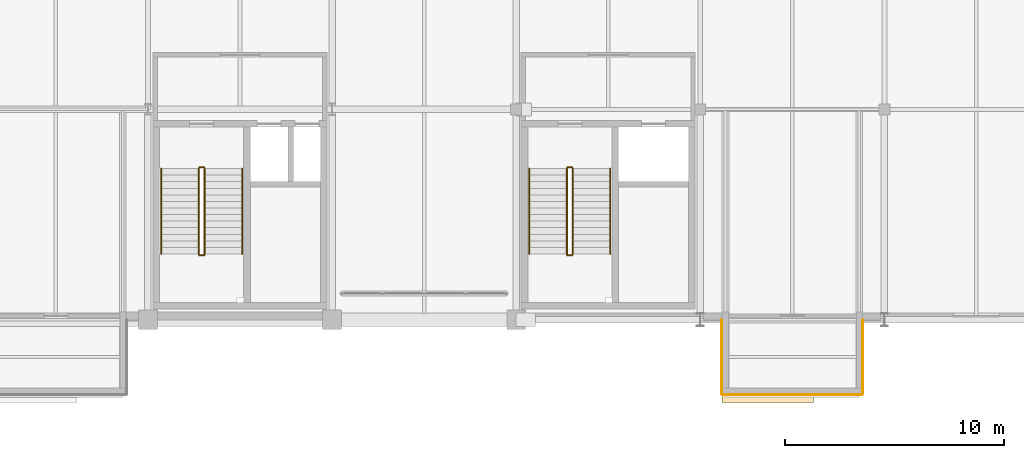
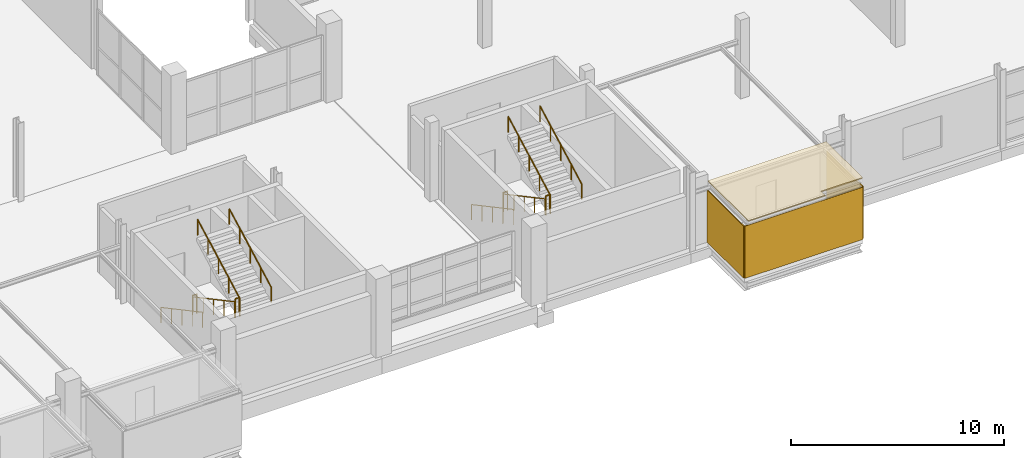
# One storey, part 104 of 109: 12 railings, 4 coverings.
"""IFC4 building model written with IfcOpenShell, lengths in metres."""

import ifcopenshell
import ifcopenshell.guid

model = None  # the IFC model being written
_history = None  # IfcOwnerHistory: only IFC2X3 demands one
_inside = {}  # id of a spatial element -> (the spatial element, [elements in it])
_under = {}  # id of a project, library or spatial element -> (it, [spatial elements below it])
_declared = {}  # id of a project -> (the project, [libraries it declares])
_typed = {}  # id of a type object -> (the type object, [elements of that type])
_made_of = {}  # id of a material, layer set ... -> (it, [elements and type objects made of it])


def new_model(schema):
    """Start an empty IFC model of exactly this schema.

    Asked for "IFC4X3", IfcOpenShell would pick the latest addendum, in which some entities
    have other attributes; the version numbers below select the first issue.
    IFC2X3 requires an IfcOwnerHistory on every rooted entity: one is made here for all.
    """
    global model, _history
    if schema == "IFC4X3":
        model = ifcopenshell.file(schema_version=(4, 3, 0, 0))
    else:
        model = ifcopenshell.file(schema=schema)
    _inside.clear()
    _under.clear()
    _declared.clear()
    _typed.clear()
    _made_of.clear()
    _history = None
    if model.schema == "IFC2X3":
        org = make("IfcOrganization", Name="unknown")
        user = make(
            "IfcPersonAndOrganization",
            ThePerson=make("IfcPerson", FamilyName="unknown"),
            TheOrganization=org,
        )
        app = make(
            "IfcApplication",
            ApplicationDeveloper=org,
            Version="unknown",
            ApplicationFullName="unknown",
            ApplicationIdentifier="unknown",
        )
        _history = make(
            "IfcOwnerHistory",
            OwningUser=user,
            OwningApplication=app,
            ChangeAction="ADDED",
            CreationDate=0,
        )
    return model


def make(cls, **values):
    """One entity of the class cls with the attributes given. An attribute that is None is left unset."""
    return model.create_entity(
        cls, **{name: value for name, value in values.items() if value is not None}
    )


def rooted(cls, **values):
    """An entity with a GlobalId (a new one), such as an element, a storey or a relation."""
    return make(cls, GlobalId=ifcopenshell.guid.new(), OwnerHistory=_history, **values)


def si_unit(unit_type, name, prefix=None):
    """IfcSIUnit, for example si_unit("LENGTHUNIT", "METRE", prefix="MILLI")."""
    return make("IfcSIUnit", UnitType=unit_type, Prefix=prefix, Name=name)


def assignment(units):
    """IfcUnitAssignment: the units of a project."""
    return None if units is None else make("IfcUnitAssignment", Units=units)


def point(xyz):
    """IfcCartesianPoint."""
    return None if xyz is None else make("IfcCartesianPoint", Coordinates=xyz)


def direction(xyz):
    """IfcDirection."""
    return None if xyz is None else make("IfcDirection", DirectionRatios=xyz)


def frame(location, z_axis=None, x_axis=None):
    """IfcAxis2Placement3D, a coordinate frame: its origin and axes. An axis left out is left unset."""
    return make(
        "IfcAxis2Placement3D",
        Location=point(location),
        Axis=direction(z_axis),
        RefDirection=direction(x_axis),
    )


def frame_2d(location, x_axis=None):
    """IfcAxis2Placement2D, a coordinate frame in the plane: its origin and x axis."""
    return make(
        "IfcAxis2Placement2D", Location=point(location), RefDirection=direction(x_axis)
    )


def origin():
    """The frame at (0, 0, 0) with its axes left unset."""
    return frame((0.0, 0.0, 0.0))


def origin_2d():
    """The frame at (0, 0) in the plane with its x axis left unset."""
    return frame_2d((0.0, 0.0))


def place(relative_to, where):
    """IfcLocalPlacement: puts the frame where relative to a parent placement (None: the world)."""
    return make(
        "IfcLocalPlacement", PlacementRelTo=relative_to, RelativePlacement=where
    )


def context(
    kind, dimensions, precision=None, world=None, true_north=None, identifier=None
):
    """IfcGeometricRepresentationContext, for example the 3D "Model" context."""
    return make(
        "IfcGeometricRepresentationContext",
        ContextIdentifier=identifier,
        ContextType=kind,
        CoordinateSpaceDimension=dimensions,
        Precision=precision,
        WorldCoordinateSystem=world,
        TrueNorth=true_north,
    )


def subcontext(parent, identifier, kind, view, scale=None):
    """IfcGeometricRepresentationSubContext, for example "Body" below "Model"."""
    return make(
        "IfcGeometricRepresentationSubContext",
        ContextIdentifier=identifier,
        ContextType=kind,
        ParentContext=parent,
        TargetScale=scale,
        TargetView=view,
    )


def project(units=None, contexts=None):
    """IfcProject with its units and contexts."""
    return rooted(
        "IfcProject",
        Name="project",
        RepresentationContexts=contexts,
        UnitsInContext=assignment(units),
    )


def spatial(cls, under=None, at=None, **own):
    """A site, building, storey or space (cls), placed at a placement, below another one or the project."""
    s = rooted(cls, ObjectPlacement=at, **own)
    if under is not None:
        _under.setdefault(under.id(), (under, []))[1].append(s)
    return s


def polyline(points):
    """IfcPolyline through the points."""
    return make("IfcPolyline", Points=[point(p) for p in points])


def profile(cls, at=None, kind="AREA", **sizes):
    """A parametric profile (cls). Its sizes go by their IFC names, for example OverallWidth=200.0."""
    return make(cls, ProfileType=kind, Position=at, **sizes)


def rectangle(**sizes):
    """IfcRectangleProfileDef."""
    return profile("IfcRectangleProfileDef", **sizes)


def circle(**sizes):
    """IfcCircleProfileDef."""
    return profile("IfcCircleProfileDef", **sizes)


def outline(outer, holes=None, kind="AREA"):
    """IfcArbitraryClosedProfileDef: a profile drawn as a closed curve; with holes, ...WithVoids."""
    if holes is None:
        return make("IfcArbitraryClosedProfileDef", ProfileType=kind, OuterCurve=outer)
    return make(
        "IfcArbitraryProfileDefWithVoids",
        ProfileType=kind,
        OuterCurve=outer,
        InnerCurves=holes,
    )


def extrude(swept, where, along, depth):
    """IfcExtrudedAreaSolid: the profile swept, set in the frame where, extruded along a direction by depth."""
    return make(
        "IfcExtrudedAreaSolid",
        SweptArea=swept,
        Position=where,
        ExtrudedDirection=direction(along),
        Depth=depth,
    )


def shape(context_of_items, identifier, shape_type, items):
    """IfcShapeRepresentation: the items that make up one representation, for example the "Body"."""
    return make(
        "IfcShapeRepresentation",
        ContextOfItems=context_of_items,
        RepresentationIdentifier=identifier,
        RepresentationType=shape_type,
        Items=items,
    )


def material(Name=None, Category=None):
    """IfcMaterial."""
    return make("IfcMaterial", Name=Name, Category=Category)


def layer(
    of_material, thickness, ventilated=None, Name=None, Category=None, Priority=None
):
    """IfcMaterialLayer: one layer of a wall or slab, of a material (None: an air gap)."""
    return make(
        "IfcMaterialLayer",
        Material=of_material,
        LayerThickness=thickness,
        IsVentilated=ventilated,
        Name=Name,
        Category=Category,
        Priority=Priority,
    )


def layer_set(layers, Name=None):
    """IfcMaterialLayerSet."""
    return make("IfcMaterialLayerSet", MaterialLayers=layers, LayerSetName=Name)


def made_of(thing, what):
    """Note that an element or type object is made of a material, layer set ...; save() writes the relation."""
    if what is not None:
        _made_of.setdefault(what.id(), (what, []))[1].append(thing)
    return thing


def type_object(cls, material=None, **own):
    """A type object (cls), such as IfcWallType, which elements share."""
    return made_of(rooted(cls, **own), material)


def element(
    cls,
    number,
    at=None,
    inside=None,
    cuts=None,
    type_object=None,
    material=None,
    context=None,
    identifier="Body",
    shape_type=None,
    held_by="IfcProductDefinitionShape",
    body=None,
    shapes=None,
    **own,
):
    """One element of the class cls, such as IfcWall. Its Tag is "e" and its number.

    at: its placement. inside: the storey or other place that contains it. cuts: it is an
    opening in that element (IfcRelVoidsElement). A single representation is given by context,
    identifier, shape_type and body (its items); several are given by shapes. held_by: the class
    of the entity that holds the representations. save() writes the other relations.
    """
    e = rooted(cls, Tag="e%d" % number, ObjectPlacement=at, **own)
    if body is not None:
        shapes = [shape(context, identifier, shape_type, body)]
    if shapes is not None:
        e.Representation = make(held_by, Representations=shapes)
    if inside is not None:
        _inside.setdefault(inside.id(), (inside, []))[1].append(e)
    if cuts is not None:
        rooted(
            "IfcRelVoidsElement", RelatingBuildingElement=cuts, RelatedOpeningElement=e
        )
    if type_object is not None:
        _typed.setdefault(type_object.id(), (type_object, []))[1].append(e)
    return made_of(e, material)


def aggregate(whole, parts):
    """IfcRelAggregates: a whole, such as a stair, and the parts it consists of."""
    return rooted("IfcRelAggregates", RelatingObject=whole, RelatedObjects=parts)


def save(model, path):
    """Write the relations noted so far, then the file.

    IfcRelAggregates (storeys below a building ...), IfcRelContainedInSpatialStructure (elements
    in a storey), IfcRelDefinesByType, IfcRelAssociatesMaterial and IfcRelDeclares: one each for
    every whole, place, type object, material and project.
    """
    for whole, parts in _under.values():
        aggregate(whole, parts)
    for where, things in _inside.values():
        rooted(
            "IfcRelContainedInSpatialStructure",
            RelatedElements=things,
            RelatingStructure=where,
        )
    for kind, things in _typed.values():
        rooted("IfcRelDefinesByType", RelatedObjects=things, RelatingType=kind)
    for what, things in _made_of.values():
        rooted("IfcRelAssociatesMaterial", RelatedObjects=things, RelatingMaterial=what)
    for by, libraries in _declared.values():
        rooted("IfcRelDeclares", RelatingContext=by, RelatedDefinitions=libraries)
    model.write(path)


model = new_model("IFC4")

# Units and contexts
model_context = context("Model", 3, precision=1e-05, world=origin(), true_north=direction((0.0, 1.0)))
body_context = subcontext(model_context, "Body", "Model", "MODEL_VIEW")
ifc_project = project(units=[si_unit("LENGTHUNIT", "METRE"), si_unit("AREAUNIT", "SQUARE_METRE"), si_unit("VOLUMEUNIT", "CUBIC_METRE"), si_unit("PLANEANGLEUNIT", "RADIAN"), si_unit("MASSUNIT", "GRAM", prefix="KILO")], contexts=[model_context])

# Site, building, storey
site_placement = place(None, origin())
site = spatial("IfcSite", under=ifc_project, at=site_placement, CompositionType="ELEMENT")
building_placement = place(site_placement, origin())
building = spatial("IfcBuilding", under=site, at=building_placement, Name="Veltarok Museum of Natural Sciences", CompositionType="ELEMENT")
storey_placement = place(building_placement, frame((0.0, 0.0, 17.39990234375)))
storey = spatial("IfcBuildingStorey", under=building, at=storey_placement, Name="L03", CompositionType="ELEMENT", Elevation=17.39990234375)

# Coverings
ifc_material_1 = material(Name="Corrugated zinc cladding")
ifc_layer_1 = layer(ifc_material_1, 0.044921875)
ifc_layer_set_1 = layer_set([ifc_layer_1], Name="Corrugated zinc cladding")
covering_type_1 = type_object("IfcCoveringType", Name="Corrugated Titanium-Zinc Rainscreen Cladding 45", PredefinedType="CLADDING", material=ifc_layer_set_1)
covering_1_placement = place(storey_placement, frame((116.60009765625, -3.422119140625, 0.0), z_axis=(0.0, 0.0, 1.0), x_axis=(1.0, 0.0, 0.0)))
element("IfcCovering", 1, at=covering_1_placement, inside=storey, type_object=covering_type_1, Name="Corrugated Zinc Cladding DB-18-S", PredefinedType="CLADDING", context=body_context, shape_type="SweptSolid", body=[
    extrude(rectangle(XDim=6.39990234375, YDim=0.044921875, at=frame_2d((3.199951171875, 0.0))), origin(), (0.0, 0.0, 1.0), 2.989990234375),
])
for number, where, z_axis, x_axis, name in (
    (2, (116.577880859375, 0.0, 0.0), (0.0, 0.0, 1.0), (0.0, -1.0, 0.0), "Corrugated Zinc Cladding DB-18-W"),
    (3, (123.02197265625, -3.39990234375, 0.0), (0.0, 0.0, 1.0), (0.0, 1.0, 0.0), "Corrugated Zinc Cladding DB-18-E"),
):
    element("IfcCovering", number, at=place(storey_placement, frame(where, z_axis=z_axis, x_axis=x_axis)), inside=storey, type_object=covering_type_1, Name=name, PredefinedType="CLADDING", context=body_context, shape_type="SweptSolid", body=[
        extrude(rectangle(XDim=3.39990234375, YDim=0.044921875, at=frame_2d((1.699951171875, 0.0))), origin(), (0.0, 0.0, 1.0), 2.989990234375),
    ])
ifc_material_2 = material(Name="EPDM waterproofing membrane")
ifc_layer_2 = layer(ifc_material_2, 0.06005859375)
ifc_layer_set_2 = layer_set([ifc_layer_2], Name="EPDM waterproofing membrane")
covering_type_2 = type_object("IfcCoveringType", Name="EPDM Waterproofing and Acoustic Roof Membrane 60", PredefinedType="ROOFING", material=ifc_layer_set_2)
covering_2_placement = place(storey_placement, frame((0.0, 0.0, 3.4501953125)))
element("IfcCovering", 4, at=covering_2_placement, inside=storey, type_object=covering_type_2, Name="Cabinet Box Roof Membrane DB-18", PredefinedType="ROOFING", context=body_context, shape_type="SweptSolid", body=[
    extrude(outline(polyline([(116.60009765625, -3.780029296875), (120.760009765625, -3.780029296875), (120.760009765625, -3.39990234375), (123.0, -3.39990234375), (123.0, 0.0), (116.60009765625, 0.0), (116.60009765625, -3.780029296875)])), origin(), (0.0, 0.0, 1.0), 0.059814453125),
])

# Railings
ifc_material_3 = material(Name="Steel S355J2", Category="steel")
railing_type_1 = type_object("IfcRailingType", Name="Interior Atrium and Stairwell Guardrail 1100", PredefinedType="GUARDRAIL", material=ifc_material_3)
for number, where, name in (
    (5, (92.72998046875, 6.949951171875, 0.0), "Stairwell Floor Guard ST-02 L03"),
    (6, (92.72998046875, 2.93994140625, 2.25), "Landing Well Guard ST-02-L03-L1"),
    (7, (109.530029296875, 6.949951171875, 0.0), "Stairwell Floor Guard ST-04 L03"),
    (8, (109.530029296875, 2.93994140625, 2.25), "Landing Well Guard ST-04-L03-L1"),
):
    element("IfcRailing", number, at=place(storey_placement, frame(where)), inside=storey, type_object=railing_type_1, Name=name, PredefinedType="GUARDRAIL", context=body_context, shape_type="SweptSolid", body=[
        extrude(circle(Radius=0.02392578125, at=origin_2d()), frame((0.0, 0.0, 1.076171875), z_axis=(1.0, 0.0, 0.0), x_axis=(0.0, 1.0, 0.0)), (0.0, 0.0, 1.0), 0.239990234375),
        extrude(circle(Radius=0.02099609375, at=origin_2d()), origin(), (0.0, 0.0, 1.0), 1.052001953125),
        extrude(circle(Radius=0.02099609375, at=origin_2d()), frame((0.239990234375, 0.0, 0.0)), (0.0, 0.0, 1.0), 1.052001953125),
    ])
railing_type_2 = type_object("IfcRailingType", Name="Stair Flight Tubular Steel Handrail 900", PredefinedType="HANDRAIL", material=ifc_material_3)
for number, where, name in (
    (9, (91.0, 6.89990234375, 0.160888671875), "Stair Handrail ST-02-L03-F1L"),
    (10, (92.719970703125, 6.89990234375, 0.160888671875), "Stair Handrail ST-02-L03-F1R"),
):
    element("IfcRailing", number, at=place(storey_placement, frame(where)), inside=storey, type_object=railing_type_2, Name=name, PredefinedType="HANDRAIL", context=body_context, shape_type="SweptSolid", body=[
        extrude(circle(Radius=0.02392578125, at=origin_2d()), frame((0.0, 0.0, 0.8759765625), z_axis=(0.0, -0.881491454809, 0.472199973632), x_axis=(1.0, 0.0, 0.0)), (0.0, 0.0, 1.0), 4.42431640625),
        extrude(circle(Radius=0.02099609375, at=origin_2d()), origin(), (0.0, 0.0, 1.0), 0.851806640625),
        extrude(circle(Radius=0.02099609375, at=origin_2d()), frame((0.0, -0.97509765625, 0.522216796875)), (0.0, 0.0, 1.0), 0.851806640625),
        extrude(circle(Radius=0.02099609375, at=origin_2d()), frame((0.0, -1.949951171875, 1.04443359375)), (0.0, 0.0, 1.0), 0.851806640625),
        extrude(circle(Radius=0.02099609375, at=origin_2d()), frame((0.0, -2.9248046875, 1.56689453125)), (0.0, 0.0, 1.0), 0.851806640625),
        extrude(circle(Radius=0.02099609375, at=origin_2d()), frame((0.0, -3.89990234375, 2.089111328125)), (0.0, 0.0, 1.0), 0.851806640625),
    ])
for number, where, name in (
    (11, (92.97998046875, 3.0, 2.410888671875), "Stair Handrail ST-02-L03-F2L"),
    (12, (94.699951171875, 3.0, 2.410888671875), "Stair Handrail ST-02-L03-F2R"),
):
    element("IfcRailing", number, at=place(storey_placement, frame(where)), inside=storey, type_object=railing_type_2, Name=name, PredefinedType="HANDRAIL", context=body_context, shape_type="SweptSolid", body=[
        extrude(circle(Radius=0.02392578125, at=origin_2d()), frame((0.0, 0.0, 0.8759765625), z_axis=(0.0, 0.881491454809, 0.472199973632), x_axis=(-1.0, 0.0, 0.0)), (0.0, 0.0, 1.0), 4.42431640625),
        extrude(circle(Radius=0.02099609375, at=origin_2d()), origin(), (0.0, 0.0, 1.0), 0.851806640625),
        extrude(circle(Radius=0.02099609375, at=origin_2d()), frame((0.0, 0.97509765625, 0.522216796875)), (0.0, 0.0, 1.0), 0.851806640625),
        extrude(circle(Radius=0.02099609375, at=origin_2d()), frame((0.0, 1.949951171875, 1.04443359375)), (0.0, 0.0, 1.0), 0.851806640625),
        extrude(circle(Radius=0.02099609375, at=origin_2d()), frame((0.0, 2.9248046875, 1.56689453125)), (0.0, 0.0, 1.0), 0.851806640625),
        extrude(circle(Radius=0.02099609375, at=origin_2d()), frame((0.0, 3.89990234375, 2.089111328125)), (0.0, 0.0, 1.0), 0.851806640625),
    ])
for number, where, name in (
    (13, (107.800048828125, 6.89990234375, 0.160888671875), "Stair Handrail ST-04-L03-F1L"),
    (14, (109.52001953125, 6.89990234375, 0.160888671875), "Stair Handrail ST-04-L03-F1R"),
):
    element("IfcRailing", number, at=place(storey_placement, frame(where)), inside=storey, type_object=railing_type_2, Name=name, PredefinedType="HANDRAIL", context=body_context, shape_type="SweptSolid", body=[
        extrude(circle(Radius=0.02392578125, at=origin_2d()), frame((0.0, 0.0, 0.8759765625), z_axis=(0.0, -0.881491454809, 0.472199973632), x_axis=(1.0, 0.0, 0.0)), (0.0, 0.0, 1.0), 4.42431640625),
        extrude(circle(Radius=0.02099609375, at=origin_2d()), origin(), (0.0, 0.0, 1.0), 0.851806640625),
        extrude(circle(Radius=0.02099609375, at=origin_2d()), frame((0.0, -0.97509765625, 0.522216796875)), (0.0, 0.0, 1.0), 0.851806640625),
        extrude(circle(Radius=0.02099609375, at=origin_2d()), frame((0.0, -1.949951171875, 1.04443359375)), (0.0, 0.0, 1.0), 0.851806640625),
        extrude(circle(Radius=0.02099609375, at=origin_2d()), frame((0.0, -2.9248046875, 1.56689453125)), (0.0, 0.0, 1.0), 0.851806640625),
        extrude(circle(Radius=0.02099609375, at=origin_2d()), frame((0.0, -3.89990234375, 2.089111328125)), (0.0, 0.0, 1.0), 0.851806640625),
    ])
for number, where, name in (
    (15, (109.780029296875, 3.0, 2.410888671875), "Stair Handrail ST-04-L03-F2L"),
    (16, (111.5, 3.0, 2.410888671875), "Stair Handrail ST-04-L03-F2R"),
):
    element("IfcRailing", number, at=place(storey_placement, frame(where)), inside=storey, type_object=railing_type_2, Name=name, PredefinedType="HANDRAIL", context=body_context, shape_type="SweptSolid", body=[
        extrude(circle(Radius=0.02392578125, at=origin_2d()), frame((0.0, 0.0, 0.8759765625), z_axis=(0.0, 0.881491454809, 0.472199973632), x_axis=(-1.0, 0.0, 0.0)), (0.0, 0.0, 1.0), 4.42431640625),
        extrude(circle(Radius=0.02099609375, at=origin_2d()), origin(), (0.0, 0.0, 1.0), 0.851806640625),
        extrude(circle(Radius=0.02099609375, at=origin_2d()), frame((0.0, 0.97509765625, 0.522216796875)), (0.0, 0.0, 1.0), 0.851806640625),
        extrude(circle(Radius=0.02099609375, at=origin_2d()), frame((0.0, 1.949951171875, 1.04443359375)), (0.0, 0.0, 1.0), 0.851806640625),
        extrude(circle(Radius=0.02099609375, at=origin_2d()), frame((0.0, 2.9248046875, 1.56689453125)), (0.0, 0.0, 1.0), 0.851806640625),
        extrude(circle(Radius=0.02099609375, at=origin_2d()), frame((0.0, 3.89990234375, 2.089111328125)), (0.0, 0.0, 1.0), 0.851806640625),
    ])

save(model, "model.ifc")
